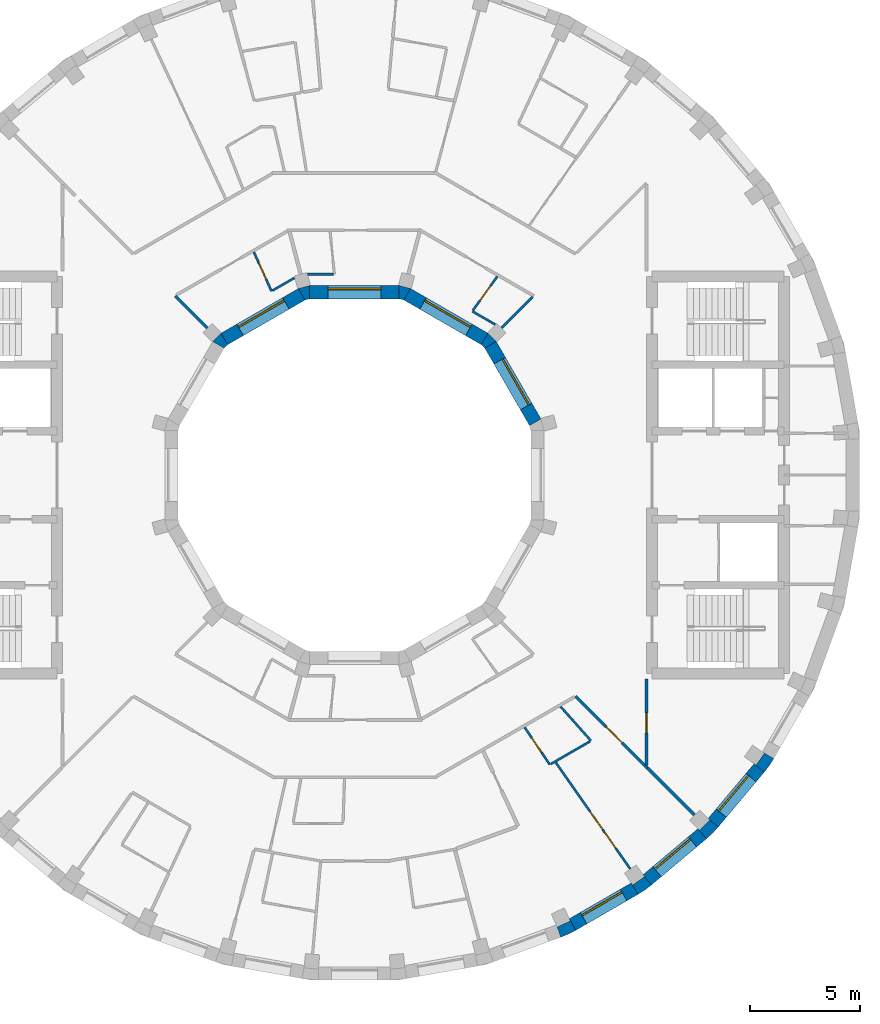
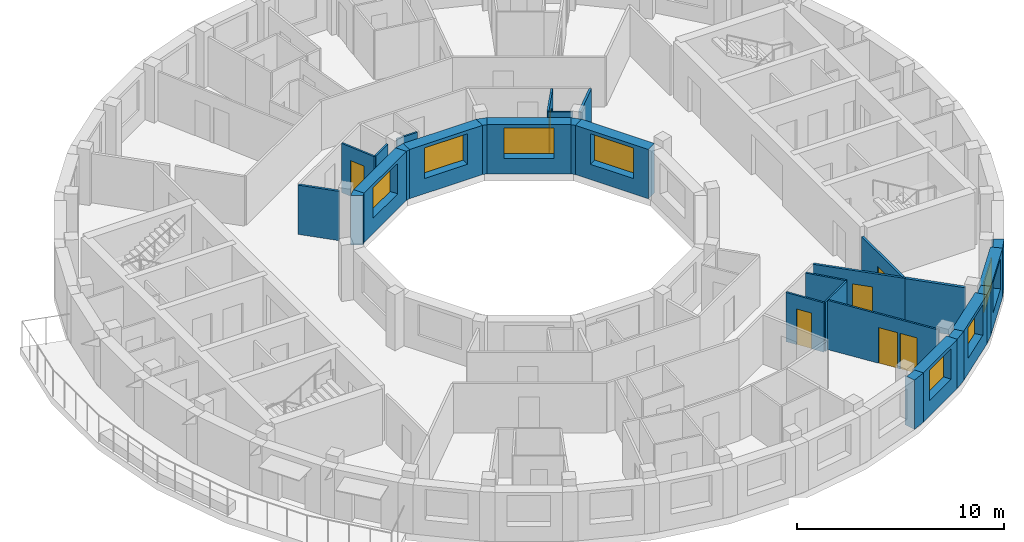
# One storey, part 5 of 10: 29 walls, 7 doors, 7 windows, 14 openings.
"""IFC4 building model written with IfcOpenShell, lengths in metres."""

from ifc_helpers import new_model, si_unit, direction, frame, frame_2d, origin, place, context, subcontext, project, spatial, polyline, rectangle, outline, extrude, material, layer, layer_set, type_object, element, fill, save


model = new_model("IFC4")

# Units and contexts
model_context = context("Model", 3, precision=1e-05, world=origin(), true_north=direction((0.0, 1.0)))
body_context = subcontext(model_context, "Body", "Model", "MODEL_VIEW")
ifc_project = project(units=[si_unit("LENGTHUNIT", "METRE"), si_unit("AREAUNIT", "SQUARE_METRE"), si_unit("VOLUMEUNIT", "CUBIC_METRE"), si_unit("PLANEANGLEUNIT", "RADIAN"), si_unit("MASSUNIT", "GRAM", prefix="KILO")], contexts=[model_context])

# Site, building, storey
site_placement = place(None, origin())
site = spatial("IfcSite", under=ifc_project, at=site_placement, CompositionType="ELEMENT")
building_placement = place(site_placement, origin())
building = spatial("IfcBuilding", under=site, at=building_placement, Name="Saqina Gate Tower", CompositionType="ELEMENT")
storey_placement = place(building_placement, frame((0.0, 0.0, 252.800048828125)))
storey = spatial("IfcBuildingStorey", under=building, at=storey_placement, Name="L72", CompositionType="ELEMENT", Elevation=252.800048828125)

# Walls
ifc_material_1 = material(Name="Brick masonry (buff)", Category="masonry")
wall_type_1 = type_object("IfcWallType", Name="BRICK PIER COPING BUFF", PredefinedType="SOLIDWALL", material=ifc_material_1)
wall_1_placement = place(storey_placement, origin())
element("IfcWall", 1, at=wall_1_placement, inside=storey, type_object=wall_type_1, Name="Pier cap L72 column 30", PredefinedType="SOLIDWALL", context=body_context, shape_type="SweptSolid", body=[
    extrude(outline(polyline([(9.3642578125, -20.974609375), (10.048095703125, -20.65576171875), (9.748291015625, -20.135986328125), (9.79296875, -20.23193359375), (9.203857421875, -20.506591796875), (9.1591796875, -20.410888671875), (9.3642578125, -20.974609375)])), origin(), (0.0, 0.0, 1.0), 2.89990234375),
])
wall_2_placement = place(storey_placement, origin())
element("IfcWall", 2, at=wall_2_placement, inside=storey, type_object=wall_type_1, Name="Pier cap L72 column 31", PredefinedType="SOLIDWALL", context=body_context, shape_type="SweptSolid", body=[
    extrude(outline(polyline([(12.8642578125, -19.02978515625), (13.482421875, -18.59716796875), (13.0966796875, -18.137451171875), (13.157470703125, -18.22412109375), (12.625, -18.596923828125), (12.564208984375, -18.51025390625), (12.8642578125, -19.02978515625)])), origin(), (0.0, 0.0, 1.0), 2.89990234375),
])
wall_3_placement = place(storey_placement, origin())
element("IfcWall", 3, at=wall_3_placement, inside=storey, type_object=wall_type_1, Name="Pier cap L72 column 32", PredefinedType="SOLIDWALL", context=body_context, shape_type="SweptSolid", body=[
    extrude(outline(polyline([(16.5068359375, -15.973388671875), (16.04736328125, -15.587646484375), (16.1220703125, -15.662353515625), (15.662353515625, -16.1220703125), (15.587646484375, -16.04736328125), (15.973388671875, -16.5068359375), (16.5068359375, -15.973388671875)])), origin(), (0.0, 0.0, 1.0), 2.89990234375),
])
wall_4_placement = place(storey_placement, origin())
element("IfcWall", 4, at=wall_4_placement, inside=storey, type_object=wall_type_1, Name="Pier cap L72 column 33", PredefinedType="SOLIDWALL", context=body_context, shape_type="SweptSolid", body=[
    extrude(outline(polyline([(19.02978515625, -12.8642578125), (18.51025390625, -12.564208984375), (18.596923828125, -12.625), (18.22412109375, -13.157470703125), (18.137451171875, -13.0966796875), (18.59716796875, -13.482421875), (19.02978515625, -12.8642578125)])), origin(), (0.0, 0.0, 1.0), 2.89990234375),
])

# Wall, opening, window
ifc_material_2 = material(Name="Brick masonry (buff)", Category="masonry")
ifc_layer_1 = layer(ifc_material_2, 0.60009765625)
ifc_layer_set_1 = layer_set([ifc_layer_1], Name="FW-BRICK-BUFF")
wall_type_2 = type_object("IfcWallType", Name="FW-BRICK-BUFF", PredefinedType="SOLIDWALL", material=ifc_layer_set_1)
wall_5_placement = place(storey_placement, frame((9.898193359375, -20.39599609375, 0.0), z_axis=(0.0, 0.0, 1.0), x_axis=(0.866016800201, 0.500014901547, 0.0)))
wall_5 = element("IfcWall", 5, at=wall_5_placement, inside=storey, type_object=wall_type_2, Name="Facade wall L72 facet 30", PredefinedType="SOLIDWALL", context=body_context, shape_type="SweptSolid", body=[
    extrude(rectangle(XDim=3.251953125, YDim=0.60009765625, at=frame_2d((1.6259765625, 0.0))), origin(), (0.0, 0.0, 1.0), 2.89990234375),
])
opening_1_placement = place(wall_5_placement, frame((0.57568359375, 0.0, 0.89990234375)))
opening_1 = element("IfcOpeningElement", 6, at=opening_1_placement, cuts=wall_5, Name="Opening G21-W21", PredefinedType="OPENING", context=body_context, shape_type="SweptSolid", body=[
    extrude(rectangle(XDim=2.10009765625, YDim=1.800048828125, at=frame_2d((1.050048828125, 0.89990234375))), frame((0.0, 0.31201171875, 0.0), z_axis=(0.0, -1.0, 0.0), x_axis=(1.0, 0.0, 0.0)), (0.0, 0.0, 1.0), 0.6240234375),
])
ifc_material_3 = material(Name="Aluminium glazing", Category="aluminium")
window_type_1 = type_object("IfcWindowType", Name="WN-D", PartitioningType="SINGLE_PANEL", PredefinedType="WINDOW", material=ifc_material_3)
window_1_placement = place(opening_1_placement, origin())
window_1 = element("IfcWindow", 7, at=window_1_placement, inside=storey, type_object=window_type_1, Name="Window L72 facet 30", OverallHeight=1.800048828125, OverallWidth=2.10009765625, PartitioningType="SINGLE_PANEL", PredefinedType="WINDOW", context=body_context, shape_type="SweptSolid", body=[
    extrude(rectangle(XDim=2.10009765625, YDim=1.800048828125, at=frame_2d((1.050048828125, 0.89990234375))), frame((0.0, 0.179931640625, 0.0), z_axis=(0.0, -1.0, 0.0), x_axis=(1.0, 0.0, 0.0)), (0.0, 0.0, 1.0), 0.06005859375),
])
fill(opening_1, window_1)

wall_6_placement = place(storey_placement, frame((13.28955078125, -18.3671875, 0.0), z_axis=(0.0, 0.0, 1.0), x_axis=(0.766056773982, 0.64277291405, 0.0)))
wall_6 = element("IfcWall", 8, at=wall_6_placement, inside=storey, type_object=wall_type_2, Name="Facade wall L72 facet 31", PredefinedType="SOLIDWALL", context=body_context, shape_type="SweptSolid", body=[
    extrude(rectangle(XDim=3.251708984375, YDim=0.60009765625, at=frame_2d((1.6259765625, 0.0))), origin(), (0.0, 0.0, 1.0), 2.89990234375),
])
opening_2_placement = place(wall_6_placement, frame((0.57568359375, 0.0, 0.89990234375)))
opening_2 = element("IfcOpeningElement", 9, at=opening_2_placement, cuts=wall_6, Name="Opening G21-W22", PredefinedType="OPENING", context=body_context, shape_type="SweptSolid", body=[
    extrude(rectangle(XDim=2.10009765625, YDim=1.800048828125, at=frame_2d((1.050048828125, 0.89990234375))), frame((0.0, 0.31201171875, 0.0), z_axis=(0.0, -1.0, 0.0), x_axis=(1.0, 0.0, 0.0)), (0.0, 0.0, 1.0), 0.6240234375),
])
window_2_placement = place(opening_2_placement, origin())
window_2 = element("IfcWindow", 10, at=window_2_placement, inside=storey, type_object=window_type_1, Name="Window L72 facet 31", OverallHeight=1.800048828125, OverallWidth=2.10009765625, PartitioningType="SINGLE_PANEL", PredefinedType="WINDOW", context=body_context, shape_type="SweptSolid", body=[
    extrude(rectangle(XDim=2.10009765625, YDim=1.800048828125, at=frame_2d((1.050048828125, 0.89990234375))), frame((0.0, 0.179931640625, 0.0), z_axis=(0.0, -1.0, 0.0), x_axis=(1.0, 0.0, 0.0)), (0.0, 0.0, 1.0), 0.06005859375),
])
fill(opening_2, window_2)

wall_7_placement = place(storey_placement, frame((16.277099609375, -15.780517578125, 0.0), z_axis=(0.0, 0.0, 1.0), x_axis=(0.64277291405, 0.766056773982, 0.0)))
wall_7 = element("IfcWall", 11, at=wall_7_placement, inside=storey, type_object=wall_type_2, Name="Facade wall L72 facet 32", PredefinedType="SOLIDWALL", context=body_context, shape_type="SweptSolid", body=[
    extrude(rectangle(XDim=3.251708984375, YDim=0.60009765625, at=frame_2d((1.6259765625, 0.0))), origin(), (0.0, 0.0, 1.0), 2.89990234375),
])
opening_3_placement = place(wall_7_placement, frame((0.57568359375, 0.0, 0.89990234375)))
opening_3 = element("IfcOpeningElement", 12, at=opening_3_placement, cuts=wall_7, Name="Opening G21-W23", PredefinedType="OPENING", context=body_context, shape_type="SweptSolid", body=[
    extrude(rectangle(XDim=2.10009765625, YDim=1.800048828125, at=frame_2d((1.050048828125, 0.89990234375))), frame((0.0, 0.31201171875, 0.0), z_axis=(0.0, -1.0, 0.0), x_axis=(1.0, 0.0, 0.0)), (0.0, 0.0, 1.0), 0.6240234375),
])
window_3_placement = place(opening_3_placement, origin())
window_3 = element("IfcWindow", 13, at=window_3_placement, inside=storey, type_object=window_type_1, Name="Window L72 facet 32", OverallHeight=1.800048828125, OverallWidth=2.10009765625, PartitioningType="SINGLE_PANEL", PredefinedType="WINDOW", context=body_context, shape_type="SweptSolid", body=[
    extrude(rectangle(XDim=2.10009765625, YDim=1.800048828125, at=frame_2d((1.050048828125, 0.89990234375))), frame((0.0, 0.179931640625, 0.0), z_axis=(0.0, -1.0, 0.0), x_axis=(1.0, 0.0, 0.0)), (0.0, 0.0, 1.0), 0.06005859375),
])
fill(opening_3, window_3)

ifc_material_4 = material(Name="Glazed ceramic tile", Category="ceramic")
ifc_layer_2 = layer(ifc_material_4, 0.60009765625)
ifc_layer_set_2 = layer_set([ifc_layer_2], Name="IW-TILE")
wall_type_3 = type_object("IfcWallType", Name="IW-TILE", PredefinedType="SOLIDWALL", material=ifc_layer_set_2)
wall_8_placement = place(storey_placement, frame((8.20263671875, 2.392578125, 0.0), z_axis=(0.0, 0.0, 1.0), x_axis=(-0.499994954979, 0.866028316509, 0.0)))
wall_8 = element("IfcWall", 14, at=wall_8_placement, inside=storey, type_object=wall_type_3, Name="Well wall L72 facet 1", PredefinedType="SOLIDWALL", context=body_context, shape_type="SweptSolid", body=[
    extrude(rectangle(XDim=4.05859375, YDim=0.60009765625, at=frame_2d((2.029296875, 0.0))), origin(), (0.0, 0.0, 1.0), 2.89990234375),
])
opening_4_placement = place(wall_8_placement, frame((0.829345703125, 0.0, 0.89990234375)))
opening_4 = element("IfcOpeningElement", 15, at=opening_4_placement, cuts=wall_8, Name="Opening G21-W25", PredefinedType="OPENING", context=body_context, shape_type="SweptSolid", body=[
    extrude(rectangle(XDim=2.39990234375, YDim=1.800048828125, at=frame_2d((1.199951171875, 0.89990234375))), frame((0.0, 0.31201171875, 0.0), z_axis=(0.0, -1.0, 0.0), x_axis=(1.0, 0.0, 0.0)), (0.0, 0.0, 1.0), 0.6240234375),
])
ifc_material_5 = material(Name="Aluminium glazing", Category="aluminium")
window_type_2 = type_object("IfcWindowType", Name="WN-W", PartitioningType="SINGLE_PANEL", PredefinedType="WINDOW", material=ifc_material_5)
window_4_placement = place(opening_4_placement, origin())
window_4 = element("IfcWindow", 16, at=window_4_placement, inside=storey, type_object=window_type_2, Name="Well window L72 facet 1", OverallHeight=1.800048828125, OverallWidth=2.39990234375, PartitioningType="SINGLE_PANEL", PredefinedType="WINDOW", context=body_context, shape_type="SweptSolid", body=[
    extrude(rectangle(XDim=2.39990234375, YDim=1.800048828125, at=frame_2d((1.199951171875, 0.89990234375))), frame((0.0, -0.119873046875, 0.0), z_axis=(0.0, -1.0, 0.0), x_axis=(1.0, 0.0, 0.0)), (0.0, 0.0, 1.0), 0.06005859375),
])
fill(opening_4, window_4)

wall_9_placement = place(storey_placement, frame((5.907470703125, 6.17333984375, 0.0), z_axis=(0.0, 0.0, 1.0), x_axis=(-0.866028316509, 0.499994954979, 0.0)))
wall_9 = element("IfcWall", 17, at=wall_9_placement, inside=storey, type_object=wall_type_3, Name="Well wall L72 facet 2", PredefinedType="SOLIDWALL", context=body_context, shape_type="SweptSolid", body=[
    extrude(rectangle(XDim=4.05859375, YDim=0.60009765625, at=frame_2d((2.029296875, 0.0))), origin(), (0.0, 0.0, 1.0), 2.89990234375),
])
opening_5_placement = place(wall_9_placement, frame((0.829345703125, 0.0, 0.89990234375)))
opening_5 = element("IfcOpeningElement", 18, at=opening_5_placement, cuts=wall_9, Name="Opening G21-W26", PredefinedType="OPENING", context=body_context, shape_type="SweptSolid", body=[
    extrude(rectangle(XDim=2.39990234375, YDim=1.800048828125, at=frame_2d((1.199951171875, 0.89990234375))), frame((0.0, 0.31201171875, 0.0), z_axis=(0.0, -1.0, 0.0), x_axis=(1.0, 0.0, 0.0)), (0.0, 0.0, 1.0), 0.6240234375),
])
window_5_placement = place(opening_5_placement, origin())
window_5 = element("IfcWindow", 19, at=window_5_placement, inside=storey, type_object=window_type_2, Name="Well window L72 facet 2", OverallHeight=1.800048828125, OverallWidth=2.39990234375, PartitioningType="SINGLE_PANEL", PredefinedType="WINDOW", context=body_context, shape_type="SweptSolid", body=[
    extrude(rectangle(XDim=2.39990234375, YDim=1.800048828125, at=frame_2d((1.199951171875, 0.89990234375))), frame((0.0, -0.119873046875, 0.0), z_axis=(0.0, -1.0, 0.0), x_axis=(1.0, 0.0, 0.0)), (0.0, 0.0, 1.0), 0.06005859375),
])
fill(opening_5, window_5)

wall_10_placement = place(storey_placement, frame((2.029296875, 8.300048828125, 0.0), z_axis=(0.0, 0.0, 1.0), x_axis=(-1.0, 0.0, 0.0)))
wall_10 = element("IfcWall", 20, at=wall_10_placement, inside=storey, type_object=wall_type_3, Name="Well wall L72 facet 3", PredefinedType="SOLIDWALL", context=body_context, shape_type="SweptSolid", body=[
    extrude(rectangle(XDim=4.05859375, YDim=0.60009765625, at=frame_2d((2.029296875, 0.0))), origin(), (0.0, 0.0, 1.0), 2.89990234375),
])
opening_6_placement = place(wall_10_placement, frame((0.829345703125, 0.0, 0.89990234375)))
opening_6 = element("IfcOpeningElement", 21, at=opening_6_placement, cuts=wall_10, Name="Opening G21-W27", PredefinedType="OPENING", context=body_context, shape_type="SweptSolid", body=[
    extrude(rectangle(XDim=2.39990234375, YDim=1.800048828125, at=frame_2d((1.199951171875, 0.89990234375))), frame((0.0, 0.31201171875, 0.0), z_axis=(0.0, -1.0, 0.0), x_axis=(1.0, 0.0, 0.0)), (0.0, 0.0, 1.0), 0.6240234375),
])
window_6_placement = place(opening_6_placement, origin())
window_6 = element("IfcWindow", 22, at=window_6_placement, inside=storey, type_object=window_type_2, Name="Well window L72 facet 3", OverallHeight=1.800048828125, OverallWidth=2.39990234375, PartitioningType="SINGLE_PANEL", PredefinedType="WINDOW", context=body_context, shape_type="SweptSolid", body=[
    extrude(rectangle(XDim=2.39990234375, YDim=1.800048828125, at=frame_2d((1.199951171875, 0.89990234375))), frame((0.0, -0.119873046875, 0.0), z_axis=(0.0, -1.0, 0.0), x_axis=(1.0, 0.0, 0.0)), (0.0, 0.0, 1.0), 0.06005859375),
])
fill(opening_6, window_6)

wall_11_placement = place(storey_placement, frame((-2.392578125, 8.20263671875, 0.0), z_axis=(0.0, 0.0, 1.0), x_axis=(-0.866028316509, -0.499994954979, 0.0)))
wall_11 = element("IfcWall", 23, at=wall_11_placement, inside=storey, type_object=wall_type_3, Name="Well wall L72 facet 4", PredefinedType="SOLIDWALL", context=body_context, shape_type="SweptSolid", body=[
    extrude(rectangle(XDim=4.05859375, YDim=0.60009765625, at=frame_2d((2.029296875, 0.0))), origin(), (0.0, 0.0, 1.0), 2.89990234375),
])
opening_7_placement = place(wall_11_placement, frame((0.829345703125, 0.0, 0.89990234375)))
opening_7 = element("IfcOpeningElement", 24, at=opening_7_placement, cuts=wall_11, Name="Opening G21-W28", PredefinedType="OPENING", context=body_context, shape_type="SweptSolid", body=[
    extrude(rectangle(XDim=2.39990234375, YDim=1.800048828125, at=frame_2d((1.199951171875, 0.89990234375))), frame((0.0, 0.31201171875, 0.0), z_axis=(0.0, -1.0, 0.0), x_axis=(1.0, 0.0, 0.0)), (0.0, 0.0, 1.0), 0.6240234375),
])
window_7_placement = place(opening_7_placement, origin())
window_7 = element("IfcWindow", 25, at=window_7_placement, inside=storey, type_object=window_type_2, Name="Well window L72 facet 4", OverallHeight=1.800048828125, OverallWidth=2.39990234375, PartitioningType="SINGLE_PANEL", PredefinedType="WINDOW", context=body_context, shape_type="SweptSolid", body=[
    extrude(rectangle(XDim=2.39990234375, YDim=1.800048828125, at=frame_2d((1.199951171875, 0.89990234375))), frame((0.0, -0.119873046875, 0.0), z_axis=(0.0, -1.0, 0.0), x_axis=(1.0, 0.0, 0.0)), (0.0, 0.0, 1.0), 0.06005859375),
])
fill(opening_7, window_7)

# Wall, opening, door
ifc_material_6 = material(Name="Gypsum board on steel studs, 100 mm", Category="steel")
ifc_layer_3 = layer(ifc_material_6, 0.10009765625)
ifc_layer_set_3 = layer_set([ifc_layer_3], Name="PARTITION 100")
wall_type_4 = type_object("IfcWallType", Name="PARTITION 100", PredefinedType="PARTITIONING", material=ifc_layer_set_3)
wall_12_placement = place(storey_placement, frame((-4.566162109375, 10.12060546875, 0.0), z_axis=(0.0, 0.0, 1.0), x_axis=(0.411506094415, -0.911407008015, 0.0)))
wall_12 = element("IfcWall", 26, at=wall_12_placement, inside=storey, type_object=wall_type_4, Name="PARTITION PW3-08", PredefinedType="PARTITIONING", context=body_context, shape_type="SweptSolid", body=[
    extrude(rectangle(XDim=1.947265625, YDim=0.10009765625, at=frame_2d((0.9736328125, 0.0))), origin(), (0.0, 0.0, 1.0), 2.89990234375),
])
opening_8_placement = place(wall_12_placement, frame((0.5419921875, 0.0, 0.0)))
opening_8 = element("IfcOpeningElement", 27, at=opening_8_placement, cuts=wall_12, Name="Opening G21-D18", PredefinedType="OPENING", context=body_context, shape_type="SweptSolid", body=[
    extrude(rectangle(XDim=0.800048828125, YDim=2.10009765625, at=frame_2d((0.39990234375, 1.050048828125))), frame((0.0, 0.06201171875, 0.0), z_axis=(0.0, -1.0, 0.0), x_axis=(1.0, 0.0, 0.0)), (0.0, 0.0, 1.0), 0.1240234375),
])
ifc_material_7 = material(Name="Timber door leaf, 800 mm", Category="wood")
door_type_1 = type_object("IfcDoorType", Name="DOOR 800 TIMBER", OperationType="SINGLE_SWING_LEFT", PredefinedType="DOOR", material=ifc_material_7)
door_1_placement = place(opening_8_placement, frame((0.800048828125, 0.0, 0.0), z_axis=(0.0, 0.0, 1.0), x_axis=(-1.0, 0.0, 0.0)))
door_1 = element("IfcDoor", 28, at=door_1_placement, inside=storey, type_object=door_type_1, Name="DOOR G21-D18", OperationType="SINGLE_SWING_RIGHT", OverallHeight=2.10009765625, OverallWidth=0.800048828125, PredefinedType="DOOR", context=body_context, shape_type="SweptSolid", body=[
    extrude(rectangle(XDim=0.800048828125, YDim=2.10009765625, at=frame_2d((0.39990234375, 1.050048828125))), frame((0.0, 0.02490234375, 0.0), z_axis=(0.0, -1.0, 0.0), x_axis=(1.0, 0.0, 0.0)), (0.0, 0.0, 1.0), 0.050048828125),
])
fill(opening_8, door_1)

wall_13_placement = place(storey_placement, frame((7.72119140625, -11.44775390625, 0.0), z_axis=(0.0, 0.0, 1.0), x_axis=(0.559248794195, -0.828999871044, 0.0)))
wall_13 = element("IfcWall", 29, at=wall_13_placement, inside=storey, type_object=wall_type_4, Name="PARTITION PW3-10", PredefinedType="PARTITIONING", context=body_context, shape_type="SweptSolid", body=[
    extrude(rectangle(XDim=2.0400390625, YDim=0.10009765625, at=frame_2d((1.02001953125, 0.0))), origin(), (0.0, 0.0, 1.0), 2.89990234375),
])
opening_9_placement = place(wall_13_placement, frame((0.587158203125, 0.0, 0.0)))
opening_9 = element("IfcOpeningElement", 30, at=opening_9_placement, cuts=wall_13, Name="Opening G21-D39", PredefinedType="OPENING", context=body_context, shape_type="SweptSolid", body=[
    extrude(rectangle(XDim=0.800048828125, YDim=2.10009765625, at=frame_2d((0.39990234375, 1.050048828125))), frame((0.0, 0.06201171875, 0.0), z_axis=(0.0, -1.0, 0.0), x_axis=(1.0, 0.0, 0.0)), (0.0, 0.0, 1.0), 0.1240234375),
])
door_2_placement = place(opening_9_placement, frame((0.800048828125, 0.0, 0.0), z_axis=(0.0, 0.0, 1.0), x_axis=(-1.0, 0.0, 0.0)))
door_2 = element("IfcDoor", 31, at=door_2_placement, inside=storey, type_object=door_type_1, Name="DOOR G21-D39", OperationType="SINGLE_SWING_RIGHT", OverallHeight=2.10009765625, OverallWidth=0.800048828125, PredefinedType="DOOR", context=body_context, shape_type="SweptSolid", body=[
    extrude(rectangle(XDim=0.800048828125, YDim=2.10009765625, at=frame_2d((0.39990234375, 1.050048828125))), frame((0.0, 0.02490234375, 0.0), z_axis=(0.0, -1.0, 0.0), x_axis=(1.0, 0.0, 0.0)), (0.0, 0.0, 1.0), 0.050048828125),
])
fill(opening_9, door_2)

# Wall, openings, doors
wall_14_placement = place(storey_placement, frame((9.131591796875, -13.041015625, 0.0), z_axis=(0.0, 0.0, 1.0), x_axis=(0.573490140142, -0.819212462772, 0.0)))
wall_14 = element("IfcWall", 32, at=wall_14_placement, inside=storey, type_object=wall_type_4, Name="PARTITION PW3-11", PredefinedType="PARTITIONING", context=body_context, shape_type="SweptSolid", body=[
    extrude(rectangle(XDim=5.894775390625, YDim=0.10009765625, at=frame_2d((2.947265625, 0.0))), origin(), (0.0, 0.0, 1.0), 2.89990234375),
])
opening_10_placement = place(wall_14_placement, frame((2.71337890625, 0.0, 0.0)))
opening_10 = element("IfcOpeningElement", 33, at=opening_10_placement, cuts=wall_14, Name="Opening G21-D40", PredefinedType="OPENING", context=body_context, shape_type="SweptSolid", body=[
    extrude(rectangle(XDim=1.0, YDim=2.10009765625, at=frame_2d((0.5, 1.050048828125))), frame((0.0, 0.06201171875, 0.0), z_axis=(0.0, -1.0, 0.0), x_axis=(1.0, 0.0, 0.0)), (0.0, 0.0, 1.0), 0.1240234375),
])
opening_11_placement = place(wall_14_placement, frame((3.863525390625, 0.0, 0.0)))
opening_11 = element("IfcOpeningElement", 34, at=opening_11_placement, cuts=wall_14, Name="Opening G21-D41", PredefinedType="OPENING", context=body_context, shape_type="SweptSolid", body=[
    extrude(rectangle(XDim=0.89990234375, YDim=2.10009765625, at=frame_2d((0.449951171875, 1.050048828125))), frame((0.0, 0.06201171875, 0.0), z_axis=(0.0, -1.0, 0.0), x_axis=(1.0, 0.0, 0.0)), (0.0, 0.0, 1.0), 0.1240234375),
])
ifc_material_8 = material(Name="Timber door leaf, 1000 mm", Category="wood")
door_type_2 = type_object("IfcDoorType", Name="DOOR 1000 TIMBER", OperationType="SINGLE_SWING_LEFT", PredefinedType="DOOR", material=ifc_material_8)
door_3_placement = place(opening_10_placement, frame((1.0, 0.0, 0.0), z_axis=(0.0, 0.0, 1.0), x_axis=(-1.0, 0.0, 0.0)))
door_3 = element("IfcDoor", 35, at=door_3_placement, inside=storey, type_object=door_type_2, Name="DOOR G21-D40", OperationType="SINGLE_SWING_LEFT", OverallHeight=2.10009765625, OverallWidth=1.0, PredefinedType="DOOR", context=body_context, shape_type="SweptSolid", body=[
    extrude(rectangle(XDim=1.0, YDim=2.10009765625, at=frame_2d((0.5, 1.050048828125))), frame((0.0, 0.02490234375, 0.0), z_axis=(0.0, -1.0, 0.0), x_axis=(1.0, 0.0, 0.0)), (0.0, 0.0, 1.0), 0.050048828125),
])
fill(opening_10, door_3)
ifc_material_9 = material(Name="Timber door leaf, 900 mm", Category="wood")
door_type_3 = type_object("IfcDoorType", Name="DOOR 900 TIMBER", OperationType="SINGLE_SWING_LEFT", PredefinedType="DOOR", material=ifc_material_9)
door_4_placement = place(opening_11_placement, frame((0.89990234375, 0.0, 0.0), z_axis=(0.0, 0.0, 1.0), x_axis=(-1.0, 0.0, 0.0)))
door_4 = element("IfcDoor", 36, at=door_4_placement, inside=storey, type_object=door_type_3, Name="DOOR G21-D41", OperationType="SINGLE_SWING_LEFT", OverallHeight=2.10009765625, OverallWidth=0.89990234375, PredefinedType="DOOR", context=body_context, shape_type="SweptSolid", body=[
    extrude(rectangle(XDim=0.89990234375, YDim=2.10009765625, at=frame_2d((0.449951171875, 1.050048828125))), frame((0.0, 0.02490234375, 0.0), z_axis=(0.0, -1.0, 0.0), x_axis=(1.0, 0.0, 0.0)), (0.0, 0.0, 1.0), 0.050048828125),
])
fill(opening_11, door_4)

# Walls
wall_15_placement = place(storey_placement, frame((9.349609375, -10.503173828125, 0.0), z_axis=(0.0, 0.0, 1.0), x_axis=(0.664939395891, -0.746897315427, 0.0)))
element("IfcWall", 37, at=wall_15_placement, inside=storey, type_object=wall_type_4, Name="PARTITION PW3-13", PredefinedType="PARTITIONING", context=body_context, shape_type="SweptSolid", body=[
    extrude(rectangle(XDim=2.079345703125, YDim=0.10009765625, at=frame_2d((1.03955078125, 0.0))), origin(), (0.0, 0.0, 1.0), 2.89990234375),
])
wall_16_placement = place(storey_placement, frame((5.344970703125, 7.43310546875, 0.0), z_axis=(0.0, 0.0, 1.0), x_axis=(0.866108180176, -0.499856599668, 0.0)))
element("IfcWall", 38, at=wall_16_placement, inside=storey, type_object=wall_type_4, Name="PARTITION PW3-17", PredefinedType="PARTITIONING", context=body_context, shape_type="SweptSolid", body=[
    extrude(rectangle(XDim=1.207763671875, YDim=0.10009765625, at=frame_2d((0.60400390625, 0.0))), origin(), (0.0, 0.0, 1.0), 2.89990234375),
])
wall_17_placement = place(storey_placement, frame((-2.1201171875, 9.110107421875, 0.0), z_axis=(0.0, 0.0, 1.0), x_axis=(1.0, 0.0, 0.0)))
element("IfcWall", 39, at=wall_17_placement, inside=storey, type_object=wall_type_4, Name="PARTITION PW3-26", PredefinedType="PARTITIONING", context=body_context, shape_type="SweptSolid", body=[
    extrude(rectangle(XDim=1.158203125, YDim=0.10009765625, at=frame_2d((0.5791015625, 0.0))), origin(), (0.0, 0.0, 1.0), 2.89990234375),
])
wall_18_placement = place(storey_placement, frame((8.906982421875, -13.113037109375, 0.0), z_axis=(0.0, 0.0, 1.0), x_axis=(0.865983906191, 0.500071869053, 0.0)))
element("IfcWall", 40, at=wall_18_placement, inside=storey, type_object=wall_type_4, Name="PARTITION PW3-32", PredefinedType="PARTITIONING", context=body_context, shape_type="SweptSolid", body=[
    extrude(rectangle(XDim=2.056396484375, YDim=0.10009765625, at=frame_2d((1.0283203125, 0.0))), origin(), (0.0, 0.0, 1.0), 2.89990234375),
])
wall_19_placement = place(storey_placement, frame((-3.7216796875, 8.37109375, 0.0), z_axis=(0.0, 0.0, 1.0), x_axis=(0.866132916787, 0.499813735764, 0.0)))
element("IfcWall", 41, at=wall_19_placement, inside=storey, type_object=wall_type_4, Name="PARTITION PW3-34", PredefinedType="PARTITIONING", context=body_context, shape_type="SweptSolid", body=[
    extrude(rectangle(XDim=1.15771484375, YDim=0.10009765625, at=frame_2d((0.578857421875, 0.0))), origin(), (0.0, 0.0, 1.0), 2.89990234375),
])

# Wall, opening, door
wall_20_placement = place(storey_placement, frame((5.374267578125, 7.4736328125, 0.0), z_axis=(0.0, 0.0, 1.0), x_axis=(0.583609530889, 0.812034429969, 0.0)))
wall_20 = element("IfcWall", 42, at=wall_20_placement, inside=storey, type_object=wall_type_4, Name="PARTITION PW3-36", PredefinedType="PARTITIONING", context=body_context, shape_type="SweptSolid", body=[
    extrude(rectangle(XDim=1.897216796875, YDim=0.10009765625, at=frame_2d((0.94873046875, 0.0))), origin(), (0.0, 0.0, 1.0), 2.89990234375),
])
opening_12_placement = place(wall_20_placement, frame((0.554931640625, 0.0, 0.0)))
opening_12 = element("IfcOpeningElement", 43, at=opening_12_placement, cuts=wall_20, Name="Opening G21-D01", PredefinedType="OPENING", context=body_context, shape_type="SweptSolid", body=[
    extrude(rectangle(XDim=0.800048828125, YDim=2.10009765625, at=frame_2d((0.39990234375, 1.050048828125))), frame((0.0, 0.06201171875, 0.0), z_axis=(0.0, -1.0, 0.0), x_axis=(1.0, 0.0, 0.0)), (0.0, 0.0, 1.0), 0.1240234375),
])
door_5_placement = place(opening_12_placement, origin())
door_5 = element("IfcDoor", 44, at=door_5_placement, inside=storey, type_object=door_type_1, Name="DOOR G21-D01", OperationType="SINGLE_SWING_RIGHT", OverallHeight=2.10009765625, OverallWidth=0.800048828125, PredefinedType="DOOR", context=body_context, shape_type="SweptSolid", body=[
    extrude(rectangle(XDim=0.800048828125, YDim=2.10009765625, at=frame_2d((0.39990234375, 1.050048828125))), frame((0.0, 0.02490234375, 0.0), z_axis=(0.0, -1.0, 0.0), x_axis=(1.0, 0.0, 0.0)), (0.0, 0.0, 1.0), 0.050048828125),
])
fill(opening_12, door_5)

# Wall
ifc_material_10 = material(Name="Gypsum board on steel studs, 125 mm, fire rated", Category="steel")
ifc_layer_4 = layer(ifc_material_10, 0.125)
ifc_layer_set_4 = layer_set([ifc_layer_4], Name="PARTITION EI 30 125")
wall_type_5 = type_object("IfcWallType", Name="PARTITION EI 30 125", PredefinedType="PARTITIONING", material=ifc_layer_set_4)
wall_21_placement = place(storey_placement, frame((-8.133056640625, 8.133056640625, 0.0), z_axis=(0.0, 0.0, 1.0), x_axis=(0.707106781187, -0.707106781187, 0.0)))
element("IfcWall", 45, at=wall_21_placement, inside=storey, type_object=wall_type_5, Name="PARTITION PW1-05", PredefinedType="PARTITIONING", context=body_context, shape_type="SweptSolid", body=[
    extrude(rectangle(XDim=2.0595703125, YDim=0.125, at=frame_2d((1.02978515625, 0.0))), origin(), (0.0, 0.0, 1.0), 2.89990234375),
])

# Wall, opening, door
wall_22_placement = place(storey_placement, frame((10.035888671875, -10.035888671875, 0.0), z_axis=(0.0, 0.0, 1.0), x_axis=(0.707106781187, -0.707106781187, 0.0)))
wall_22 = element("IfcWall", 46, at=wall_22_placement, inside=storey, type_object=wall_type_5, Name="PARTITION PW1-07", PredefinedType="PARTITIONING", context=body_context, shape_type="SweptSolid", body=[
    extrude(rectangle(XDim=4.60791015625, YDim=0.125, at=frame_2d((2.303955078125, 0.0))), origin(), (0.0, 0.0, 1.0), 2.89990234375),
])
opening_13_placement = place(wall_22_placement, frame((1.97265625, 0.0, 0.0)))
opening_13 = element("IfcOpeningElement", 47, at=opening_13_placement, cuts=wall_22, Name="Opening G21-D43", PredefinedType="OPENING", context=body_context, shape_type="SweptSolid", body=[
    extrude(rectangle(XDim=1.0, YDim=2.10009765625, at=frame_2d((0.5, 1.050048828125))), frame((0.0, 0.074462890625, 0.0), z_axis=(0.0, -1.0, 0.0), x_axis=(1.0, 0.0, 0.0)), (0.0, 0.0, 1.0), 0.14892578125),
])
ifc_material_11 = material(Name="Fire door leaf EI 30, 1000 mm")
door_type_4 = type_object("IfcDoorType", Name="DOOR 1000 EI 30", OperationType="SINGLE_SWING_LEFT", PredefinedType="DOOR", material=ifc_material_11)
door_6_placement = place(opening_13_placement, frame((1.0, 0.0, 0.0), z_axis=(0.0, 0.0, 1.0), x_axis=(-1.0, 0.0, 0.0)))
door_6 = element("IfcDoor", 48, at=door_6_placement, inside=storey, type_object=door_type_4, Name="DOOR G21-D43", OperationType="SINGLE_SWING_RIGHT", OverallHeight=2.10009765625, OverallWidth=1.0, PredefinedType="DOOR", context=body_context, shape_type="SweptSolid", body=[
    extrude(rectangle(XDim=1.0, YDim=2.10009765625, at=frame_2d((0.5, 1.050048828125))), frame((0.0, 0.02490234375, 0.0), z_axis=(0.0, -1.0, 0.0), x_axis=(1.0, 0.0, 0.0)), (0.0, 0.0, 1.0), 0.050048828125),
])
fill(opening_13, door_6)

# Wall
wall_23_placement = place(storey_placement, frame((6.6767578125, 6.6767578125, 0.0), z_axis=(0.0, 0.0, 1.0), x_axis=(0.707106781187, 0.707106781187, 0.0)))
element("IfcWall", 49, at=wall_23_placement, inside=storey, type_object=wall_type_5, Name="PARTITION PW1-29", PredefinedType="PARTITIONING", context=body_context, shape_type="SweptSolid", body=[
    extrude(rectangle(XDim=1.9970703125, YDim=0.125, at=frame_2d((0.99853515625, 0.0))), origin(), (0.0, 0.0, 1.0), 2.89990234375),
])

# Wall, opening, door
wall_24_placement = place(storey_placement, frame((13.25, -13.175048828125, 0.0), z_axis=(0.0, 0.0, 1.0), x_axis=(0.0, 1.0, 0.0)))
wall_24 = element("IfcWall", 50, at=wall_24_placement, inside=storey, type_object=wall_type_5, Name="PARTITION PW1-38", PredefinedType="PARTITIONING", context=body_context, shape_type="SweptSolid", body=[
    extrude(rectangle(XDim=3.925048828125, YDim=0.125, at=frame_2d((1.96240234375, 0.0))), origin(), (0.0, 0.0, 1.0), 2.89990234375),
])
opening_14_placement = place(wall_24_placement, frame((1.47509765625, 0.0, 0.0)))
opening_14 = element("IfcOpeningElement", 51, at=opening_14_placement, cuts=wall_24, Name="Opening G21-D44", PredefinedType="OPENING", context=body_context, shape_type="SweptSolid", body=[
    extrude(rectangle(XDim=0.89990234375, YDim=2.10009765625, at=frame_2d((0.449951171875, 1.050048828125))), frame((0.0, 0.074462890625, 0.0), z_axis=(0.0, -1.0, 0.0), x_axis=(1.0, 0.0, 0.0)), (0.0, 0.0, 1.0), 0.14892578125),
])
ifc_material_12 = material(Name="Fire door leaf EI 30, 900 mm")
door_type_5 = type_object("IfcDoorType", Name="DOOR 900 EI 30", OperationType="SINGLE_SWING_LEFT", PredefinedType="DOOR", material=ifc_material_12)
door_7_placement = place(opening_14_placement, frame((0.89990234375, 0.0, 0.0), z_axis=(0.0, 0.0, 1.0), x_axis=(-1.0, 0.0, 0.0)))
door_7 = element("IfcDoor", 52, at=door_7_placement, inside=storey, type_object=door_type_5, Name="DOOR G21-D44", OperationType="SINGLE_SWING_RIGHT", OverallHeight=2.10009765625, OverallWidth=0.89990234375, PredefinedType="DOOR", context=body_context, shape_type="SweptSolid", body=[
    extrude(rectangle(XDim=0.89990234375, YDim=2.10009765625, at=frame_2d((0.449951171875, 1.050048828125))), frame((0.0, 0.02490234375, 0.0), z_axis=(0.0, -1.0, 0.0), x_axis=(1.0, 0.0, 0.0)), (0.0, 0.0, 1.0), 0.050048828125),
])
fill(opening_14, door_7)

# Walls
ifc_material_13 = material(Name="Gypsum board on steel studs, 150 mm, fire rated", Category="steel")
ifc_layer_5 = layer(ifc_material_13, 0.14990234375)
ifc_layer_set_5 = layer_set([ifc_layer_5], Name="PARTITION EI 60 150")
wall_type_6 = type_object("IfcWallType", Name="PARTITION EI 60 150", PredefinedType="PARTITIONING", material=ifc_layer_set_5)
wall_25_placement = place(storey_placement, frame((13.294189453125, -13.294189453125, 0.0), z_axis=(0.0, 0.0, 1.0), x_axis=(0.707025779208, -0.707187773887, 0.0)))
element("IfcWall", 53, at=wall_25_placement, inside=storey, type_object=wall_type_6, Name="PARTITION PW2-06", PredefinedType="PARTITIONING", context=body_context, shape_type="SweptSolid", body=[
    extrude(rectangle(XDim=3.01416015625, YDim=0.14990234375, at=frame_2d((1.507080078125, 0.0))), origin(), (0.0, 0.0, 1.0), 2.89990234375),
])
ifc_material_14 = material(Name="Glazed ceramic tile", Category="ceramic")
wall_type_7 = type_object("IfcWallType", Name="TILE PIER COPING", PredefinedType="SOLIDWALL", material=ifc_material_14)
wall_26_placement = place(storey_placement, origin())
element("IfcWall", 54, at=wall_26_placement, inside=storey, type_object=wall_type_7, Name="Well pier cap L72 column 2", PredefinedType="SOLIDWALL", context=body_context, shape_type="SweptSolid", body=[
    extrude(outline(polyline([(6.0576171875, 6.43310546875), (5.757568359375, 5.91357421875), (5.91357421875, 5.757568359375), (6.43310546875, 6.0576171875), (6.0576171875, 6.43310546875)])), origin(), (0.0, 0.0, 1.0), 2.89990234375),
])
wall_27_placement = place(storey_placement, origin())
element("IfcWall", 55, at=wall_27_placement, inside=storey, type_object=wall_type_7, Name="Well pier cap L72 column 3", PredefinedType="SOLIDWALL", context=body_context, shape_type="SweptSolid", body=[
    extrude(outline(polyline([(2.029296875, 8.60009765625), (2.029296875, 8.0), (2.242431640625, 7.94287109375), (2.54248046875, 8.46240234375), (2.029296875, 8.60009765625)])), origin(), (0.0, 0.0, 1.0), 2.89990234375),
])
wall_28_placement = place(storey_placement, origin())
element("IfcWall", 56, at=wall_28_placement, inside=storey, type_object=wall_type_7, Name="Well pier cap L72 column 4", PredefinedType="SOLIDWALL", context=body_context, shape_type="SweptSolid", body=[
    extrude(outline(polyline([(-2.54248046875, 8.46240234375), (-2.242431640625, 7.94287109375), (-2.029296875, 8.0), (-2.029296875, 8.60009765625), (-2.54248046875, 8.46240234375)])), origin(), (0.0, 0.0, 1.0), 2.89990234375),
])
wall_29_placement = place(storey_placement, origin())
element("IfcWall", 57, at=wall_29_placement, inside=storey, type_object=wall_type_7, Name="Well pier cap L72 column 5", PredefinedType="SOLIDWALL", context=body_context, shape_type="SweptSolid", body=[
    extrude(outline(polyline([(-6.43310546875, 6.0576171875), (-5.91357421875, 5.757568359375), (-5.757568359375, 5.91357421875), (-6.0576171875, 6.43310546875), (-6.43310546875, 6.0576171875)])), origin(), (0.0, 0.0, 1.0), 2.89990234375),
])

save(model, "model.ifc")
